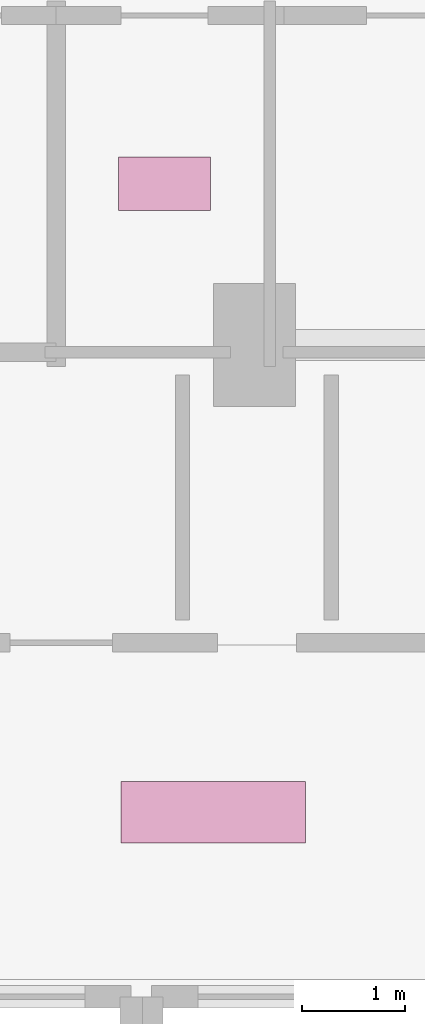
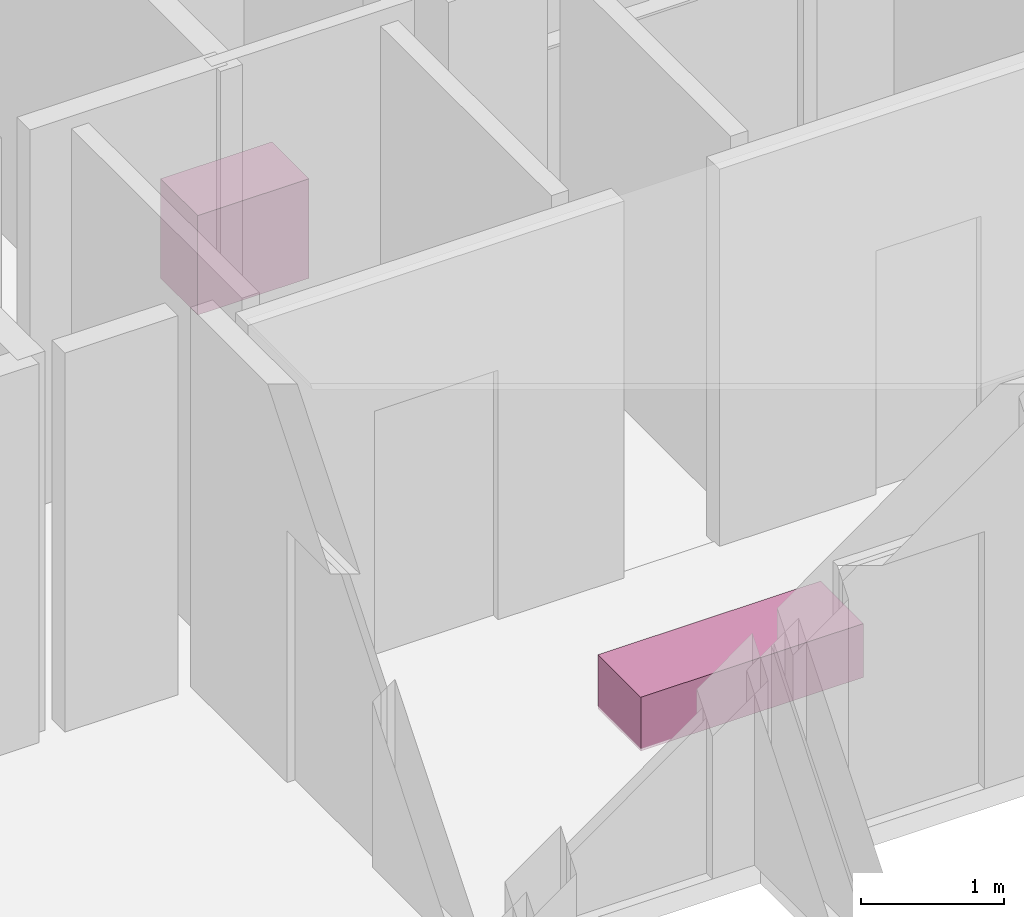
# One storey, part 31 of 31: 2 furnishings.
"""IFC4 building model written with IfcOpenShell, lengths in metres."""

from ifc_helpers import new_model, si_unit, direction, frame, origin, origin_2d, place, context, subcontext, project, spatial, rectangle, extrude, material, type_object, element, save


model = new_model("IFC4")

# Units and contexts
model_context = context("Model", 3, precision=1e-05, world=origin(), true_north=direction((0.0, 1.0)))
body_context = subcontext(model_context, "Body", "Model", "MODEL_VIEW")
ifc_project = project(units=[si_unit("LENGTHUNIT", "METRE"), si_unit("AREAUNIT", "SQUARE_METRE"), si_unit("VOLUMEUNIT", "CUBIC_METRE"), si_unit("PLANEANGLEUNIT", "RADIAN"), si_unit("MASSUNIT", "GRAM", prefix="KILO")], contexts=[model_context])

# Site, building, storey
site_placement = place(None, origin())
site = spatial("IfcSite", under=ifc_project, at=site_placement, CompositionType="ELEMENT")
building_placement = place(site_placement, origin())
building = spatial("IfcBuilding", under=site, at=building_placement, Name="Vorneva Point Tower", CompositionType="ELEMENT")
storey_placement = place(building_placement, frame((0.0, 0.0, 129.10009765625)))
storey = spatial("IfcBuildingStorey", under=building, at=storey_placement, Name="L34", CompositionType="ELEMENT", Elevation=129.10009765625)

# Furnishings
ifc_material_1 = material(Name="Engineered oak fire-rated door leaf", Category="wood")
furniture_type_1 = type_object("IfcFurnitureType", Name="FUR-BNC-1800", AssemblyPlace="NOTDEFINED", PredefinedType="NOTDEFINED", material=ifc_material_1)
furnishing_1_placement = place(storey_placement, frame((35.0, 26.0, -0.005126953125), z_axis=(0.0, 0.0, 1.0), x_axis=(1.0, 0.0, 0.0)))
element("IfcFurnishingElement", 1, at=furnishing_1_placement, inside=storey, type_object=furniture_type_1, Name="L34 Lift Lobby Seating Bench", ObjectType="L34 Lift Lobby Seating Bench", context=body_context, shape_type="SweptSolid", body=[
    extrude(rectangle(XDim=1.800048828125, YDim=0.60009765625, at=origin_2d()), origin(), (0.0, 0.0, 1.0), 0.4599609375),
])
ifc_material_2 = material(Name="Vitreous china and granite top", Category="masonry")
furniture_type_2 = type_object("IfcFurnitureType", Name="FUR-VAN-900", AssemblyPlace="NOTDEFINED", PredefinedType="NOTDEFINED", material=ifc_material_2)
furnishing_2_placement = place(storey_placement, frame((34.52490234375, 32.1201171875, -0.005126953125), z_axis=(0.0, 0.0, 1.0), x_axis=(1.0, 0.0, 0.0)))
element("IfcFurnishingElement", 2, at=furnishing_2_placement, inside=storey, type_object=furniture_type_2, Name="L34 Accessible WC Vanity Unit", ObjectType="L34 Accessible WC Vanity Unit", context=body_context, shape_type="SweptSolid", body=[
    extrude(rectangle(XDim=0.89990234375, YDim=0.52001953125, at=origin_2d()), origin(), (0.0, 0.0, 1.0), 0.85009765625),
])

save(model, "model.ifc")
